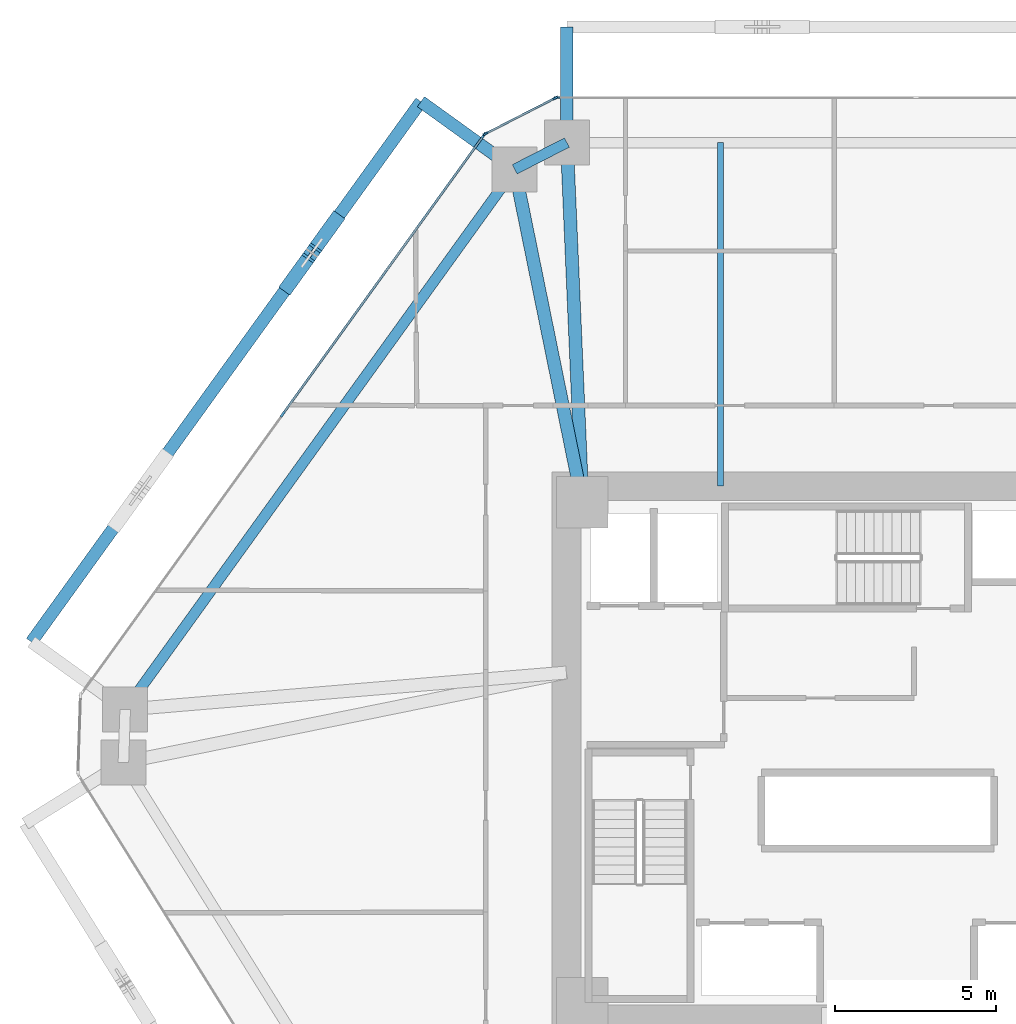
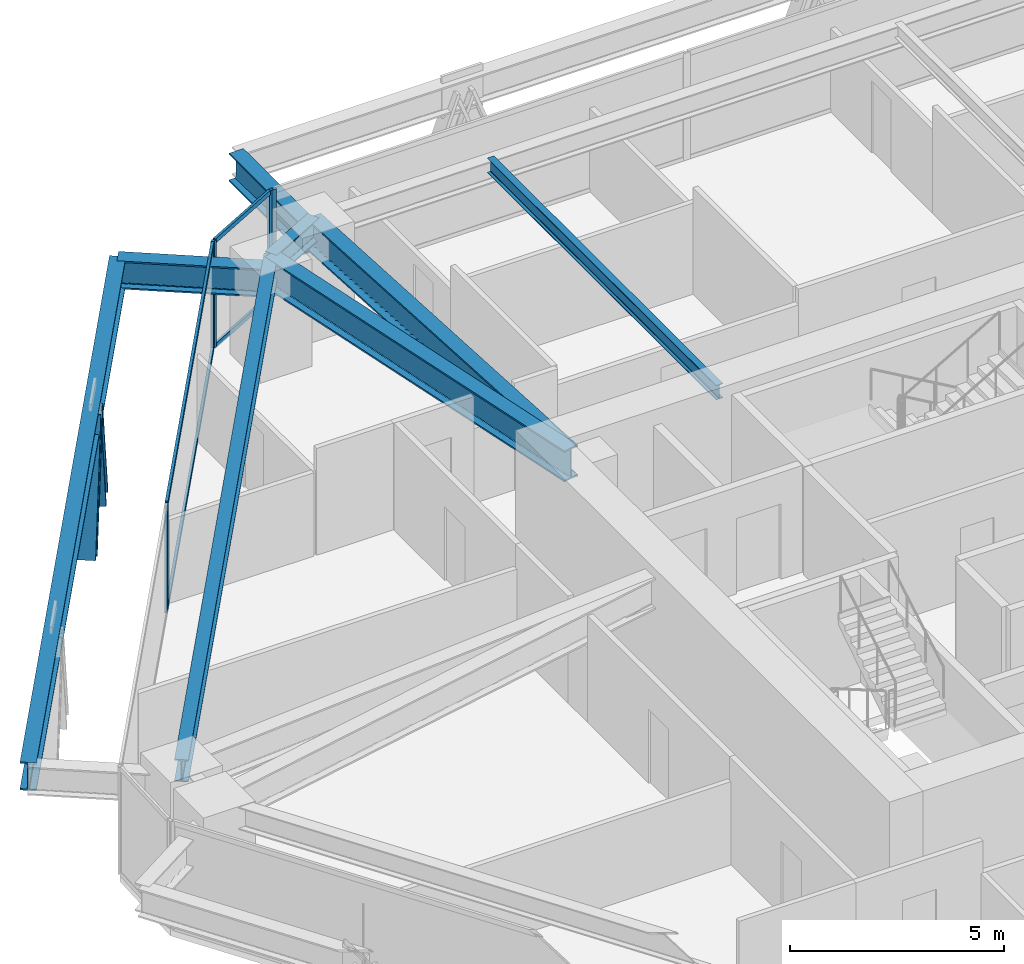
# One storey, part 7 of 17: 11 members, 8 beams, 3 elements without a shape of their own.
"""IFC4 building model written with IfcOpenShell, lengths in metres."""

import ifcopenshell
import ifcopenshell.guid

model = None  # the IFC model being written
_history = None  # IfcOwnerHistory: only IFC2X3 demands one
_inside = {}  # id of a spatial element -> (the spatial element, [elements in it])
_under = {}  # id of a project, library or spatial element -> (it, [spatial elements below it])
_declared = {}  # id of a project -> (the project, [libraries it declares])
_typed = {}  # id of a type object -> (the type object, [elements of that type])
_made_of = {}  # id of a material, layer set ... -> (it, [elements and type objects made of it])


def new_model(schema):
    """Start an empty IFC model of exactly this schema.

    Asked for "IFC4X3", IfcOpenShell would pick the latest addendum, in which some entities
    have other attributes; the version numbers below select the first issue.
    IFC2X3 requires an IfcOwnerHistory on every rooted entity: one is made here for all.
    """
    global model, _history
    if schema == "IFC4X3":
        model = ifcopenshell.file(schema_version=(4, 3, 0, 0))
    else:
        model = ifcopenshell.file(schema=schema)
    _inside.clear()
    _under.clear()
    _declared.clear()
    _typed.clear()
    _made_of.clear()
    _history = None
    if model.schema == "IFC2X3":
        org = make("IfcOrganization", Name="unknown")
        user = make(
            "IfcPersonAndOrganization",
            ThePerson=make("IfcPerson", FamilyName="unknown"),
            TheOrganization=org,
        )
        app = make(
            "IfcApplication",
            ApplicationDeveloper=org,
            Version="unknown",
            ApplicationFullName="unknown",
            ApplicationIdentifier="unknown",
        )
        _history = make(
            "IfcOwnerHistory",
            OwningUser=user,
            OwningApplication=app,
            ChangeAction="ADDED",
            CreationDate=0,
        )
    return model


def make(cls, **values):
    """One entity of the class cls with the attributes given. An attribute that is None is left unset."""
    return model.create_entity(
        cls, **{name: value for name, value in values.items() if value is not None}
    )


def rooted(cls, **values):
    """An entity with a GlobalId (a new one), such as an element, a storey or a relation."""
    return make(cls, GlobalId=ifcopenshell.guid.new(), OwnerHistory=_history, **values)


def si_unit(unit_type, name, prefix=None):
    """IfcSIUnit, for example si_unit("LENGTHUNIT", "METRE", prefix="MILLI")."""
    return make("IfcSIUnit", UnitType=unit_type, Prefix=prefix, Name=name)


def assignment(units):
    """IfcUnitAssignment: the units of a project."""
    return None if units is None else make("IfcUnitAssignment", Units=units)


def point(xyz):
    """IfcCartesianPoint."""
    return None if xyz is None else make("IfcCartesianPoint", Coordinates=xyz)


def direction(xyz):
    """IfcDirection."""
    return None if xyz is None else make("IfcDirection", DirectionRatios=xyz)


def frame(location, z_axis=None, x_axis=None):
    """IfcAxis2Placement3D, a coordinate frame: its origin and axes. An axis left out is left unset."""
    return make(
        "IfcAxis2Placement3D",
        Location=point(location),
        Axis=direction(z_axis),
        RefDirection=direction(x_axis),
    )


def frame_2d(location, x_axis=None):
    """IfcAxis2Placement2D, a coordinate frame in the plane: its origin and x axis."""
    return make(
        "IfcAxis2Placement2D", Location=point(location), RefDirection=direction(x_axis)
    )


def origin():
    """The frame at (0, 0, 0) with its axes left unset."""
    return frame((0.0, 0.0, 0.0))


def origin_2d():
    """The frame at (0, 0) in the plane with its x axis left unset."""
    return frame_2d((0.0, 0.0))


def place(relative_to, where):
    """IfcLocalPlacement: puts the frame where relative to a parent placement (None: the world)."""
    return make(
        "IfcLocalPlacement", PlacementRelTo=relative_to, RelativePlacement=where
    )


def context(
    kind, dimensions, precision=None, world=None, true_north=None, identifier=None
):
    """IfcGeometricRepresentationContext, for example the 3D "Model" context."""
    return make(
        "IfcGeometricRepresentationContext",
        ContextIdentifier=identifier,
        ContextType=kind,
        CoordinateSpaceDimension=dimensions,
        Precision=precision,
        WorldCoordinateSystem=world,
        TrueNorth=true_north,
    )


def subcontext(parent, identifier, kind, view, scale=None):
    """IfcGeometricRepresentationSubContext, for example "Body" below "Model"."""
    return make(
        "IfcGeometricRepresentationSubContext",
        ContextIdentifier=identifier,
        ContextType=kind,
        ParentContext=parent,
        TargetScale=scale,
        TargetView=view,
    )


def project(units=None, contexts=None):
    """IfcProject with its units and contexts."""
    return rooted(
        "IfcProject",
        Name="project",
        RepresentationContexts=contexts,
        UnitsInContext=assignment(units),
    )


def spatial(cls, under=None, at=None, **own):
    """A site, building, storey or space (cls), placed at a placement, below another one or the project."""
    s = rooted(cls, ObjectPlacement=at, **own)
    if under is not None:
        _under.setdefault(under.id(), (under, []))[1].append(s)
    return s


def profile(cls, at=None, kind="AREA", **sizes):
    """A parametric profile (cls). Its sizes go by their IFC names, for example OverallWidth=200.0."""
    return make(cls, ProfileType=kind, Position=at, **sizes)


def rectangle(**sizes):
    """IfcRectangleProfileDef."""
    return profile("IfcRectangleProfileDef", **sizes)


def i_section(**sizes):
    """IfcIShapeProfileDef."""
    return profile("IfcIShapeProfileDef", **sizes)


def extrude(swept, where, along, depth):
    """IfcExtrudedAreaSolid: the profile swept, set in the frame where, extruded along a direction by depth."""
    return make(
        "IfcExtrudedAreaSolid",
        SweptArea=swept,
        Position=where,
        ExtrudedDirection=direction(along),
        Depth=depth,
    )


def shape(context_of_items, identifier, shape_type, items):
    """IfcShapeRepresentation: the items that make up one representation, for example the "Body"."""
    return make(
        "IfcShapeRepresentation",
        ContextOfItems=context_of_items,
        RepresentationIdentifier=identifier,
        RepresentationType=shape_type,
        Items=items,
    )


def source(mapping_origin, context_of_items, identifier, shape_type, items):
    """IfcRepresentationMap: a shape defined once, which mapped items show again and again."""
    return make(
        "IfcRepresentationMap",
        MappingOrigin=mapping_origin,
        MappedRepresentation=shape(context_of_items, identifier, shape_type, items),
    )


def transform(
    local_origin,
    x_axis=None,
    y_axis=None,
    z_axis=None,
    scale=None,
    scale2=None,
    scale3=None,
    uniform=True,
):
    """IfcCartesianTransformationOperator3D, or its non-uniform kind. x_axis, y_axis, z_axis: its Axis1, 2, 3."""
    if uniform:
        return make(
            "IfcCartesianTransformationOperator3D",
            Axis1=direction(x_axis),
            Axis2=direction(y_axis),
            LocalOrigin=point(local_origin),
            Scale=scale,
            Axis3=direction(z_axis),
        )
    return make(
        "IfcCartesianTransformationOperator3DnonUniform",
        Axis1=direction(x_axis),
        Axis2=direction(y_axis),
        LocalOrigin=point(local_origin),
        Scale=scale,
        Axis3=direction(z_axis),
        Scale2=scale2,
        Scale3=scale3,
    )


def mapped(mapping_source, mapping_target):
    """IfcMappedItem: shows the shape of a source again, moved by a transform."""
    return make(
        "IfcMappedItem", MappingSource=mapping_source, MappingTarget=mapping_target
    )


def material(Name=None, Category=None):
    """IfcMaterial."""
    return make("IfcMaterial", Name=Name, Category=Category)


def layer(
    of_material, thickness, ventilated=None, Name=None, Category=None, Priority=None
):
    """IfcMaterialLayer: one layer of a wall or slab, of a material (None: an air gap)."""
    return make(
        "IfcMaterialLayer",
        Material=of_material,
        LayerThickness=thickness,
        IsVentilated=ventilated,
        Name=Name,
        Category=Category,
        Priority=Priority,
    )


def layer_set(layers, Name=None):
    """IfcMaterialLayerSet."""
    return make("IfcMaterialLayerSet", MaterialLayers=layers, LayerSetName=Name)


def material_profile(
    of_material, cross_section, Name=None, Category=None, Priority=None
):
    """IfcMaterialProfile: a cross section and its material."""
    return make(
        "IfcMaterialProfile",
        Name=Name,
        Material=of_material,
        Profile=cross_section,
        Priority=Priority,
        Category=Category,
    )


def profile_set(profiles, Name=None, composite=None):
    """IfcMaterialProfileSet."""
    return make(
        "IfcMaterialProfileSet",
        Name=Name,
        MaterialProfiles=profiles,
        CompositeProfile=composite,
    )


def made_of(thing, what):
    """Note that an element or type object is made of a material, layer set ...; save() writes the relation."""
    if what is not None:
        _made_of.setdefault(what.id(), (what, []))[1].append(thing)
    return thing


def type_object(cls, material=None, **own):
    """A type object (cls), such as IfcWallType, which elements share."""
    return made_of(rooted(cls, **own), material)


def type_shapes(of_type, sources):
    """Give a type object the sources (RepresentationMaps) that its elements show as mapped items."""
    of_type.RepresentationMaps = sources


def element(
    cls,
    number,
    at=None,
    inside=None,
    cuts=None,
    type_object=None,
    material=None,
    context=None,
    identifier="Body",
    shape_type=None,
    held_by="IfcProductDefinitionShape",
    body=None,
    shapes=None,
    **own,
):
    """One element of the class cls, such as IfcWall. Its Tag is "e" and its number.

    at: its placement. inside: the storey or other place that contains it. cuts: it is an
    opening in that element (IfcRelVoidsElement). A single representation is given by context,
    identifier, shape_type and body (its items); several are given by shapes. held_by: the class
    of the entity that holds the representations. save() writes the other relations.
    """
    e = rooted(cls, Tag="e%d" % number, ObjectPlacement=at, **own)
    if body is not None:
        shapes = [shape(context, identifier, shape_type, body)]
    if shapes is not None:
        e.Representation = make(held_by, Representations=shapes)
    if inside is not None:
        _inside.setdefault(inside.id(), (inside, []))[1].append(e)
    if cuts is not None:
        rooted(
            "IfcRelVoidsElement", RelatingBuildingElement=cuts, RelatedOpeningElement=e
        )
    if type_object is not None:
        _typed.setdefault(type_object.id(), (type_object, []))[1].append(e)
    return made_of(e, material)


def aggregate(whole, parts):
    """IfcRelAggregates: a whole, such as a stair, and the parts it consists of."""
    return rooted("IfcRelAggregates", RelatingObject=whole, RelatedObjects=parts)


def save(model, path):
    """Write the relations noted so far, then the file.

    IfcRelAggregates (storeys below a building ...), IfcRelContainedInSpatialStructure (elements
    in a storey), IfcRelDefinesByType, IfcRelAssociatesMaterial and IfcRelDeclares: one each for
    every whole, place, type object, material and project.
    """
    for whole, parts in _under.values():
        aggregate(whole, parts)
    for where, things in _inside.values():
        rooted(
            "IfcRelContainedInSpatialStructure",
            RelatedElements=things,
            RelatingStructure=where,
        )
    for kind, things in _typed.values():
        rooted("IfcRelDefinesByType", RelatedObjects=things, RelatingType=kind)
    for what, things in _made_of.values():
        rooted("IfcRelAssociatesMaterial", RelatedObjects=things, RelatingMaterial=what)
    for by, libraries in _declared.values():
        rooted("IfcRelDeclares", RelatingContext=by, RelatedDefinitions=libraries)
    model.write(path)


model = new_model("IFC4")

# Units and contexts
model_context = context("Model", 3, precision=1e-05, world=origin(), true_north=direction((0.0, 1.0)))
body_context = subcontext(model_context, "Body", "Model", "MODEL_VIEW")
ifc_project = project(units=[si_unit("LENGTHUNIT", "METRE"), si_unit("AREAUNIT", "SQUARE_METRE"), si_unit("VOLUMEUNIT", "CUBIC_METRE"), si_unit("PLANEANGLEUNIT", "RADIAN"), si_unit("MASSUNIT", "GRAM", prefix="KILO")], contexts=[model_context])

# Site, building, storey
site_placement = place(None, origin())
site = spatial("IfcSite", under=ifc_project, at=site_placement, CompositionType="ELEMENT")
building_placement = place(site_placement, origin())
building = spatial("IfcBuilding", under=site, at=building_placement, Name="Durnholm Broadcast Tower", CompositionType="ELEMENT")
storey_placement = place(building_placement, frame((0.0, 0.0, 45.60009765625)))
storey = spatial("IfcBuildingStorey", under=building, at=storey_placement, Name="L10", CompositionType="ELEMENT", Elevation=45.60009765625)

# Beams
ifc_material_1 = material(Name="Steel ASTM A992 Grade 50", Category="steel")
ifc_material_profile_1 = material_profile(ifc_material_1, i_section(OverallWidth=0.3291015625, OverallDepth=0.635009765625, WebThickness=0.017822265625, FlangeThickness=0.031005859375, FilletRadius=0.02783203125, at=origin_2d()), Name="W24X162")
ifc_profile_set_1 = profile_set([ifc_material_profile_1], Name="Steel ASTM A992 Grade 50")
beam_type_1 = type_object("IfcBeamType", Name="STL-SP-W24X162", PredefinedType="SPANDREL", material=ifc_profile_set_1)
shared_shape_1 = source(origin(), body_context, "Body", "SweptSolid", [
    extrude(i_section(OverallWidth=0.3291015625, OverallDepth=0.635009765625, WebThickness=0.017822265625, FlangeThickness=0.031005859375, FilletRadius=0.02783203125, at=origin_2d()), origin(), (0.0, 0.0, 1.0), 20.737060546875),
])
beam_1_placement = place(storey_placement, frame((-24.034912109375, 1.347412109375, 2.727294921875), z_axis=(0.584821933191, 0.811161701795, 0.0), x_axis=(-0.811161701795, 0.584821933191, 0.0)))
element("IfcBeam", 1, at=beam_1_placement, inside=storey, type_object=beam_type_1, Name="L10 perimeter spandrel girder 03", PredefinedType="SPANDREL", context=body_context, shape_type="MappedRepresentation", body=[
    mapped(shared_shape_1, transform((0.0, 0.0, 0.0), x_axis=(1.0, 0.0, 0.0), y_axis=(0.0, 1.0, 0.0), z_axis=(0.0, 0.0, 1.0), scale=1.0)),
])
shared_shape_2 = source(origin(), body_context, "Body", "SweptSolid", [
    extrude(i_section(OverallWidth=0.3291015625, OverallDepth=0.635009765625, WebThickness=0.017822265625, FlangeThickness=0.031005859375, FilletRadius=0.02783203125, at=origin_2d()), origin(), (0.0, 0.0, 1.0), 1.8251953125),
])
type_shapes(beam_type_1, [shared_shape_1, shared_shape_2])
beam_2_placement = place(storey_placement, frame((-11.907470703125, 18.16845703125, 2.727294921875), z_axis=(0.890187609501, 0.455594139438, 0.0), x_axis=(-0.455594139438, 0.890187609501, 0.0)))
element("IfcBeam", 2, at=beam_2_placement, inside=storey, type_object=beam_type_1, Name="L10 perimeter spandrel girder 04", PredefinedType="SPANDREL", context=body_context, shape_type="MappedRepresentation", body=[
    mapped(shared_shape_2, transform((0.0, 0.0, 0.0), x_axis=(1.0, 0.0, 0.0), y_axis=(0.0, 1.0, 0.0), z_axis=(0.0, 0.0, 1.0), scale=1.0)),
])
ifc_material_profile_2 = material_profile(ifc_material_1, i_section(OverallWidth=0.404052734375, OverallDepth=0.885009765625, WebThickness=0.0244140625, FlangeThickness=0.0439453125, FilletRadius=0.03564453125, at=origin_2d()), Name="W33X291")
ifc_profile_set_2 = profile_set([ifc_material_profile_2], Name="Steel ASTM A992 Grade 50")
beam_type_2 = type_object("IfcBeamType", Name="STL-GR-W33X291", PredefinedType="USERDEFINED", material=ifc_profile_set_2)
shared_shape_3 = source(origin(), body_context, "Body", "SweptSolid", [
    extrude(i_section(OverallWidth=0.404052734375, OverallDepth=0.885009765625, WebThickness=0.0244140625, FlangeThickness=0.0439453125, FilletRadius=0.03564453125, at=origin_2d()), origin(), (0.0, 0.0, 1.0), 10.580322265625),
])
beam_3_placement = place(storey_placement, frame((-9.800048828125, 7.800048828125, 2.602294921875), z_axis=(-0.199181458925, 0.979962625012, 0.0), x_axis=(-0.979962625012, -0.199181458925, 0.0)))
element("IfcBeam", 3, at=beam_3_placement, inside=storey, type_object=beam_type_2, Name="L10 radial primary floor girder 04", ObjectType="GIRDER", PredefinedType="USERDEFINED", context=body_context, shape_type="MappedRepresentation", body=[
    mapped(shared_shape_3, transform((0.0, 0.0, 0.0), x_axis=(1.0, 0.0, 0.0), y_axis=(0.0, 1.0, 0.0), z_axis=(0.0, 0.0, 1.0), scale=1.0)),
])
shared_shape_4 = source(origin(), body_context, "Body", "SweptSolid", [
    extrude(i_section(OverallWidth=0.404052734375, OverallDepth=0.885009765625, WebThickness=0.0244140625, FlangeThickness=0.0439453125, FilletRadius=0.03564453125, at=origin_2d()), origin(), (0.0, 0.0, 1.0), 11.21044921875),
])
type_shapes(beam_type_2, [shared_shape_3, shared_shape_4])
beam_4_placement = place(storey_placement, frame((-9.800048828125, 7.800048828125, 2.602294921875), z_axis=(-0.043055404914, 0.999072686098, 0.0), x_axis=(-0.999072686098, -0.043055404914, 0.0)))
element("IfcBeam", 4, at=beam_4_placement, inside=storey, type_object=beam_type_2, Name="L10 radial primary floor girder 05", ObjectType="GIRDER", PredefinedType="USERDEFINED", context=body_context, shape_type="MappedRepresentation", body=[
    mapped(shared_shape_4, transform((0.0, 0.0, 0.0), x_axis=(1.0, 0.0, 0.0), y_axis=(0.0, 1.0, 0.0), z_axis=(0.0, 0.0, 1.0), scale=1.0)),
])
ifc_material_profile_3 = material_profile(ifc_material_1, i_section(OverallWidth=0.180908203125, OverallDepth=0.417236328125, WebThickness=0.010986328125, FlangeThickness=0.018310546875, FilletRadius=0.01904296875, at=origin_2d()), Name="W16X57")
ifc_profile_set_3 = profile_set([ifc_material_profile_3], Name="Steel ASTM A992 Grade 50")
beam_type_3 = type_object("IfcBeamType", Name="STL-BJ-W16X57", PredefinedType="JOIST", material=ifc_profile_set_3)
shared_shape_5 = source(origin(), body_context, "Body", "SweptSolid", [
    extrude(i_section(OverallWidth=0.180908203125, OverallDepth=0.417236328125, WebThickness=0.010986328125, FlangeThickness=0.018310546875, FilletRadius=0.01904296875, at=origin_2d()), origin(), (0.0, 0.0, 1.0), 10.699951171875),
])
type_shapes(beam_type_3, [shared_shape_5])
beam_5_placement = place(storey_placement, frame((-5.5, 8.300048828125, 2.836181640625), z_axis=(0.0, 1.0, 0.0), x_axis=(-1.0, 0.0, 0.0)))
element("IfcBeam", 5, at=beam_5_placement, inside=storey, type_object=beam_type_3, Name="L10 secondary floor joist 3.2", PredefinedType="JOIST", context=body_context, shape_type="MappedRepresentation", body=[
    mapped(shared_shape_5, transform((0.0, 0.0, 0.0), x_axis=(1.0, 0.0, 0.0), y_axis=(0.0, 1.0, 0.0), z_axis=(0.0, 0.0, 1.0), scale=1.0)),
])
ifc_material_profile_4 = material_profile(ifc_material_1, i_section(OverallWidth=0.385009765625, OverallDepth=0.802978515625, WebThickness=0.023681640625, FlangeThickness=0.0419921875, FilletRadius=0.032958984375, at=origin_2d()), Name="W30X261")
ifc_profile_set_4 = profile_set([ifc_material_profile_4], Name="Steel ASTM A992 Grade 50")
beam_type_4 = type_object("IfcBeamType", Name="BM-EXO-TIE", PredefinedType="USERDEFINED", material=ifc_profile_set_4)
shared_shape_6 = source(origin(), body_context, "Body", "SweptSolid", [
    extrude(i_section(OverallWidth=0.385009765625, OverallDepth=0.802978515625, WebThickness=0.023681640625, FlangeThickness=0.0419921875, FilletRadius=0.032958984375, at=origin_2d()), origin(), (0.0, 0.0, 1.0), 3.4560546875),
])
for number, where, z_axis, x_axis, name in (
    (6, (-10.28271484375, 19.14404296875, 2.308349609375), (0.0, 1.0, 0.0), (-1.0, 0.0, 0.0), "L10 exoskeleton stand-off tie bracket F4.2"),
    (7, (-12.024169921875, 18.252685546875, 2.308349609375), (-0.811157675106, 0.584827518262, 0.0), (-0.584827518262, -0.811157675106, 0.0), "L10 exoskeleton stand-off tie bracket F5.1"),
):
    element("IfcBeam", number, at=place(storey_placement, frame(where, z_axis=z_axis, x_axis=x_axis)), inside=storey, type_object=beam_type_4, Name=name, ObjectType="GIRDER", PredefinedType="USERDEFINED", context=body_context, shape_type="MappedRepresentation", body=[
        mapped(shared_shape_6, transform((0.0, 0.0, 0.0), x_axis=(1.0, 0.0, 0.0), y_axis=(0.0, 1.0, 0.0), z_axis=(0.0, 0.0, 1.0), scale=1.0)),
    ])
shared_shape_7 = source(origin(), body_context, "Body", "SweptSolid", [
    extrude(i_section(OverallWidth=0.385009765625, OverallDepth=0.802978515625, WebThickness=0.023681640625, FlangeThickness=0.0419921875, FilletRadius=0.032958984375, at=origin_2d()), origin(), (0.0, 0.0, 1.0), 20.737060546875),
])
type_shapes(beam_type_4, [shared_shape_6, shared_shape_7])
beam_6_placement = place(storey_placement, frame((-14.82763671875, 20.27392578125, 2.308349609375), z_axis=(-0.5848163482, -0.811165728368, 0.0), x_axis=(0.811165728368, -0.5848163482, 0.0)))
element("IfcBeam", 8, at=beam_6_placement, inside=storey, type_object=beam_type_4, Name="L10 exoskeleton collector spandrel F5", PredefinedType="SPANDREL", context=body_context, shape_type="MappedRepresentation", body=[
    mapped(shared_shape_7, transform((0.0, 0.0, 0.0), x_axis=(1.0, 0.0, 0.0), y_axis=(0.0, 1.0, 0.0), z_axis=(0.0, 0.0, 1.0), scale=1.0)),
])

# Members
ifc_material_2 = material(Name="Steel ASTM A913 Grade 65", Category="steel")
ifc_material_profile_5 = material_profile(ifc_material_2, i_section(OverallWidth=0.43212890625, OverallDepth=0.497802734375, WebThickness=0.0556640625, FlangeThickness=0.0888671875, FilletRadius=0.030517578125, at=origin_2d()), Name="W14X500")
ifc_profile_set_5 = profile_set([ifc_material_profile_5], Name="Steel ASTM A913 Grade 65")
member_type_1 = type_object("IfcMemberType", Name="STL-DG-W14X500", PredefinedType="BRACE", material=ifc_profile_set_5)
shared_shape_8 = source(origin(), body_context, "Body", "SweptSolid", [
    extrude(i_section(OverallWidth=0.43212890625, OverallDepth=0.497802734375, WebThickness=0.0556640625, FlangeThickness=0.0888671875, FilletRadius=0.030517578125, at=origin_2d()), origin(), (0.0, 0.0, 1.0), 3.52294921875),
])
type_shapes(member_type_1, [shared_shape_8])
for number, where, z_axis, x_axis, name in (
    (9, (-17.501708984375, 16.564697265625, -0.991455078125), (-0.204852434815, -0.28406296695, 0.936666275019), (0.81109123444, -0.58491966065, 0.0), "L10 stand-off diagrid brace F5.D1.1"),
    (10, (-18.94482421875, 14.563232421875, -0.991455078125), (0.204786041012, 0.284066999022, 0.93667957033), (-0.811185111535, 0.584789461963, 0.0), "L10 stand-off diagrid brace F5.D1.2"),
):
    element("IfcMember", number, at=place(storey_placement, frame(where, z_axis=z_axis, x_axis=x_axis)), inside=storey, type_object=member_type_1, Name=name, PredefinedType="BRACE", context=body_context, shape_type="MappedRepresentation", body=[
        mapped(shared_shape_8, transform((0.0, 0.0, 0.0), x_axis=(1.0, 0.0, 0.0), y_axis=(0.0, 1.0, 0.0), z_axis=(0.0, 0.0, 1.0), scale=1.0)),
    ])

# Curtain wall, members
ifc_material_3 = material(Name="Aluminium and Solar Control IGU", Category="aluminium")
ifc_layer_1 = layer(ifc_material_3, 0.1650390625)
ifc_layer_set_1 = layer_set([ifc_layer_1], Name="Aluminium and Solar Control IGU")
curtain_wall_type_1 = type_object("IfcCurtainWallType", Name="CW-SYS-5", PredefinedType="NOTDEFINED", material=ifc_layer_set_1)
curtain_wall_1_placement = place(storey_placement, origin())
curtain_wall_1 = element("IfcCurtainWall", 11, at=curtain_wall_1_placement, inside=storey, type_object=curtain_wall_type_1, Name="L10 curtain wall CW-CORNER CW-L10-CRN-03", PredefinedType="NOTDEFINED")
ifc_material_4 = material(Name="Aluminium 6063-T6", Category="aluminium")
ifc_material_profile_6 = material_profile(ifc_material_4, rectangle(XDim=0.06494140625, YDim=0.1298828125, at=origin_2d()), Name="CWT65X130")
ifc_profile_set_6 = profile_set([ifc_material_profile_6], Name="Aluminium 6063-T6")
member_type_2 = type_object("IfcMemberType", Name="CW-SYS-5-TRN", PredefinedType="USERDEFINED", material=ifc_profile_set_6)
shared_shape_9 = source(origin(), body_context, "Body", "SweptSolid", [
    extrude(rectangle(XDim=0.06494140625, YDim=0.1298828125, at=origin_2d()), origin(), (0.0, 0.0, 1.0), 2.3701171875),
])
type_shapes(member_type_2, [shared_shape_9])
member_1_placement = place(storey_placement, frame((-12.787841796875, 19.29052734375, 0.032470703125), z_axis=(0.890185016934, 0.455599205033, 0.0), x_axis=(-0.455599205033, 0.890185016934, 0.0)))
member_1 = element("IfcMember", 12, at=member_1_placement, type_object=member_type_2, Name="CW-CORNER transom 1.1", ObjectType="TRANSOM", PredefinedType="USERDEFINED", context=body_context, shape_type="MappedRepresentation", body=[
    mapped(shared_shape_9, transform((0.0, 0.0, 0.0), x_axis=(1.0, 0.0, 0.0), y_axis=(0.0, 1.0, 0.0), z_axis=(0.0, 0.0, 1.0), scale=1.0)),
])
member_2_placement = place(storey_placement, frame((-12.787841796875, 19.29052734375, 3.02734375), z_axis=(0.890185016934, 0.455599205033, 0.0), x_axis=(-0.455599205033, 0.890185016934, 0.0)))
member_2 = element("IfcMember", 13, at=member_2_placement, type_object=member_type_2, Name="CW-CORNER transom 1.2", ObjectType="TRANSOM", PredefinedType="USERDEFINED", context=body_context, shape_type="MappedRepresentation", body=[
    mapped(shared_shape_9, transform((0.0, 0.0, 0.0), x_axis=(1.0, 0.0, 0.0), y_axis=(0.0, 1.0, 0.0), z_axis=(0.0, 0.0, 1.0), scale=1.0)),
])

ifc_layer_2 = layer(ifc_material_3, 0.18994140625)
ifc_layer_set_2 = layer_set([ifc_layer_2], Name="Aluminium and Solar Control IGU")
curtain_wall_type_2 = type_object("IfcCurtainWallType", Name="CW-SYS-3", PredefinedType="NOTDEFINED", material=ifc_layer_set_2)
curtain_wall_2_placement = place(storey_placement, origin())
curtain_wall_2 = element("IfcCurtainWall", 14, at=curtain_wall_2_placement, inside=storey, type_object=curtain_wall_type_2, Name="L10 curtain wall CW-Z12-VIS CW-L10-F02", PredefinedType="NOTDEFINED")
ifc_material_profile_7 = material_profile(ifc_material_4, rectangle(XDim=0.070068359375, YDim=0.14990234375, at=origin_2d()), Name="CWT70X150")
ifc_profile_set_7 = profile_set([ifc_material_profile_7], Name="Aluminium 6063-T6")
member_type_3 = type_object("IfcMemberType", Name="CW-SYS-3-TRN", PredefinedType="USERDEFINED", material=ifc_profile_set_7)
shared_shape_10 = source(origin(), body_context, "Body", "SweptSolid", [
    extrude(rectangle(XDim=0.070068359375, YDim=0.14990234375, at=origin_2d()), origin(), (0.0, 0.0, 1.0), 10.645263671875),
])
type_shapes(member_type_3, [shared_shape_10])
member_3_placement = place(storey_placement, frame((-19.1123046875, 10.569091796875, 0.034912109375), z_axis=(0.584822983179, 0.811160944786, 0.0), x_axis=(-0.811160944786, 0.584822983179, 0.0)))
member_3 = element("IfcMember", 15, at=member_3_placement, type_object=member_type_3, Name="CW-Z12-VIS transom 2.1", ObjectType="TRANSOM", PredefinedType="USERDEFINED", context=body_context, shape_type="MappedRepresentation", body=[
    mapped(shared_shape_10, transform((0.0, 0.0, 0.0), x_axis=(1.0, 0.0, 0.0), y_axis=(0.0, 1.0, 0.0), z_axis=(0.0, 0.0, 1.0), scale=1.0)),
])
member_4_placement = place(storey_placement, frame((-19.1123046875, 10.569091796875, 3.02490234375), z_axis=(0.584822983179, 0.811160944786, 0.0), x_axis=(-0.811160944786, 0.584822983179, 0.0)))
member_4 = element("IfcMember", 16, at=member_4_placement, type_object=member_type_3, Name="CW-Z12-VIS transom 2.2", ObjectType="TRANSOM", PredefinedType="USERDEFINED", context=body_context, shape_type="MappedRepresentation", body=[
    mapped(shared_shape_10, transform((0.0, 0.0, 0.0), x_axis=(1.0, 0.0, 0.0), y_axis=(0.0, 1.0, 0.0), z_axis=(0.0, 0.0, 1.0), scale=1.0)),
])

# Member
ifc_material_profile_8 = material_profile(ifc_material_4, rectangle(XDim=0.06494140625, YDim=0.1650390625, at=origin_2d()), Name="CWM65X165")
ifc_profile_set_8 = profile_set([ifc_material_profile_8], Name="Aluminium 6063-T6")
member_type_4 = type_object("IfcMemberType", Name="CW-SYS-5-MUL", PredefinedType="MULLION", material=ifc_profile_set_8)
shared_shape_11 = source(origin(), body_context, "Body", "SweptSolid", [
    extrude(rectangle(XDim=0.06494140625, YDim=0.1650390625, at=origin_2d()), origin(), (0.0, 0.0, 1.0), 3.059814453125),
])
type_shapes(member_type_4, [shared_shape_11])
member_5_placement = place(storey_placement, frame((-12.816650390625, 19.27587890625, 0.0), z_axis=(0.0, 0.0, 1.0), x_axis=(-0.455593758406, 0.890187804512, 0.0)))
member_5 = element("IfcMember", 17, at=member_5_placement, type_object=member_type_4, Name="CW-CORNER mullion 1", PredefinedType="MULLION", context=body_context, shape_type="MappedRepresentation", body=[
    mapped(shared_shape_11, transform((0.0, 0.0, 0.0), x_axis=(1.0, 0.0, 0.0), y_axis=(0.0, 1.0, 0.0), z_axis=(0.0, 0.0, 1.0), scale=1.0)),
])

member_6_placement = place(storey_placement, frame((-10.649169921875, 20.38525390625, 0.0), z_axis=(0.0, 0.0, 1.0), x_axis=(-0.455593758406, 0.890187804512, 0.0)))
member_6 = element("IfcMember", 18, at=member_6_placement, type_object=member_type_4, Name="CW-CORNER mullion 2", PredefinedType="MULLION", context=body_context, shape_type="MappedRepresentation", body=[
    mapped(shared_shape_11, transform((0.0, 0.0, 0.0), x_axis=(1.0, 0.0, 0.0), y_axis=(0.0, 1.0, 0.0), z_axis=(0.0, 0.0, 1.0), scale=1.0)),
])

aggregate(curtain_wall_1, [member_5, member_6, member_1, member_2])

ifc_material_profile_9 = material_profile(ifc_material_4, rectangle(XDim=0.070068359375, YDim=0.18994140625, at=origin_2d()), Name="CWM70X190")
ifc_profile_set_9 = profile_set([ifc_material_profile_9], Name="Aluminium 6063-T6")
member_type_5 = type_object("IfcMemberType", Name="CW-SYS-3-MUL", PredefinedType="MULLION", material=ifc_profile_set_9)
shared_shape_12 = source(origin(), body_context, "Body", "SweptSolid", [
    extrude(rectangle(XDim=0.070068359375, YDim=0.18994140625, at=origin_2d()), origin(), (0.0, 0.0, 1.0), 3.059814453125),
])
type_shapes(member_type_5, [shared_shape_12])
member_7_placement = place(storey_placement, frame((-19.1328125, 10.540771484375, 0.0), z_axis=(0.0, 0.0, 1.0), x_axis=(-0.81116057493, 0.584823496176, 0.0)))
member_7 = element("IfcMember", 19, at=member_7_placement, type_object=member_type_5, Name="CW-Z12-VIS mullion 2", PredefinedType="MULLION", context=body_context, shape_type="MappedRepresentation", body=[
    mapped(shared_shape_12, transform((0.0, 0.0, 0.0), x_axis=(1.0, 0.0, 0.0), y_axis=(0.0, 1.0, 0.0), z_axis=(0.0, 0.0, 1.0), scale=1.0)),
])

member_8_placement = place(storey_placement, frame((-12.8662109375, 19.232666015625, 0.0), z_axis=(0.0, 0.0, 1.0), x_axis=(-0.81116057493, 0.584823496176, 0.0)))
member_8 = element("IfcMember", 20, at=member_8_placement, type_object=member_type_5, Name="CW-Z12-VIS mullion 3", PredefinedType="MULLION", context=body_context, shape_type="MappedRepresentation", body=[
    mapped(shared_shape_12, transform((0.0, 0.0, 0.0), x_axis=(1.0, 0.0, 0.0), y_axis=(0.0, 1.0, 0.0), z_axis=(0.0, 0.0, 1.0), scale=1.0)),
])

aggregate(curtain_wall_2, [member_7, member_8, member_3, member_4])

# Curtain wall, member
curtain_wall_3_placement = place(storey_placement, origin())
curtain_wall_3 = element("IfcCurtainWall", 21, at=curtain_wall_3_placement, inside=storey, type_object=curtain_wall_type_2, Name="L10 curtain wall CW-Z12-VIS CW-L10-F04", PredefinedType="NOTDEFINED")
member_9_placement = place(storey_placement, frame((-10.585205078125, 20.39990234375, 0.0), z_axis=(0.0, 0.0, 1.0), x_axis=(0.0, 1.0, 0.0)))
member_9 = element("IfcMember", 22, at=member_9_placement, type_object=member_type_5, Name="CW-Z12-VIS mullion 1", PredefinedType="MULLION", context=body_context, shape_type="MappedRepresentation", body=[
    mapped(shared_shape_12, transform((0.0, 0.0, 0.0), x_axis=(1.0, 0.0, 0.0), y_axis=(0.0, 1.0, 0.0), z_axis=(0.0, 0.0, 1.0), scale=1.0)),
])
aggregate(curtain_wall_3, [member_9])

save(model, "model.ifc")
